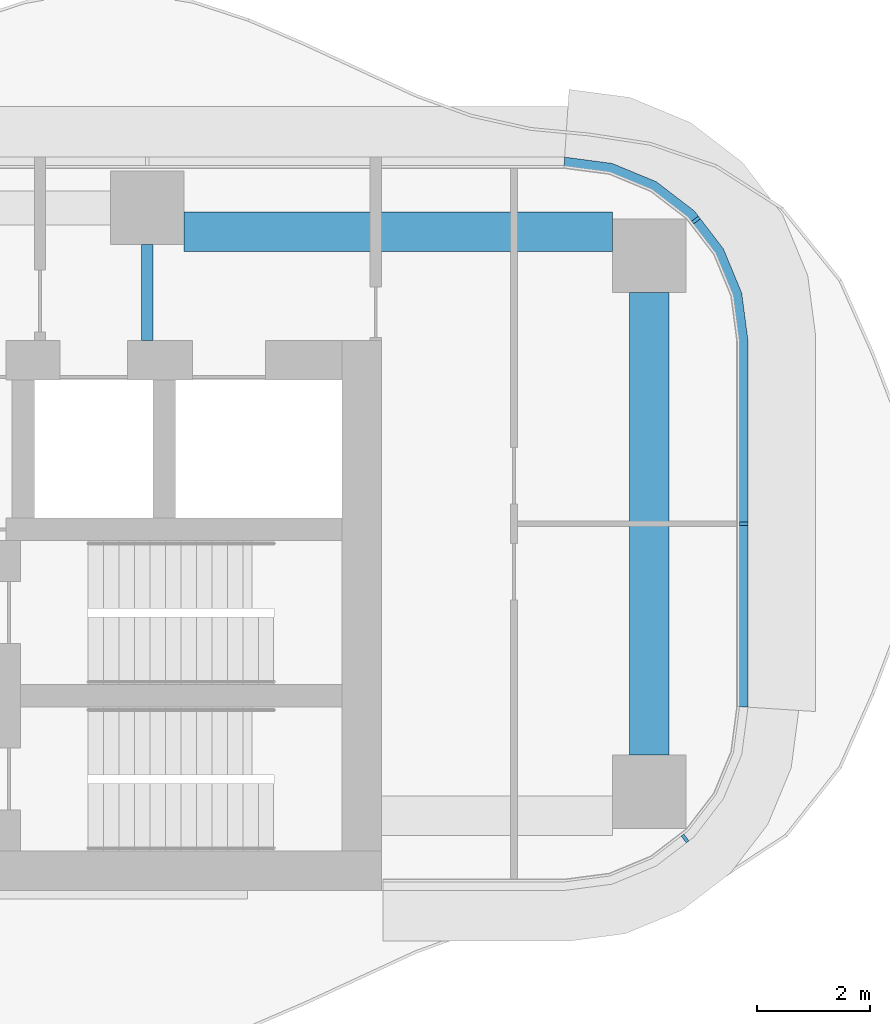
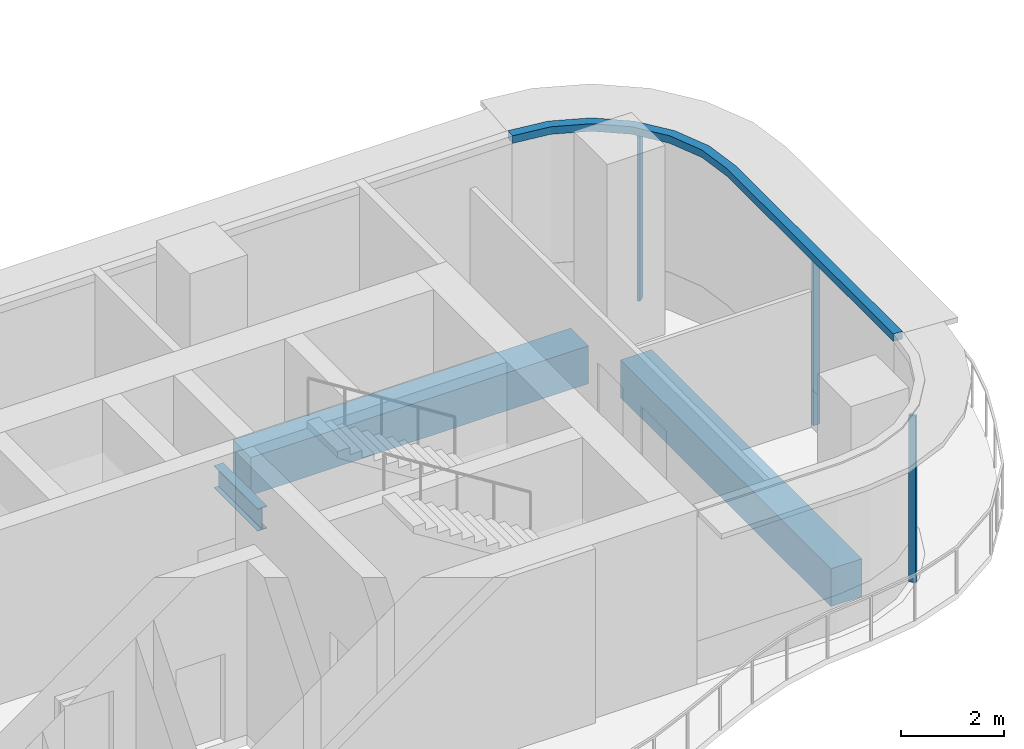
# One storey, part 7 of 20: 4 members, 3 beams, 2 elements without a shape of their own.
"""IFC4 building model written with IfcOpenShell, lengths in metres."""

from ifc_helpers import new_model, si_unit, direction, frame, origin, origin_2d, place, context, subcontext, project, spatial, polyline, rectangle, i_section, outline, extrude, source, transform, mapped, material, layer, layer_set, material_profile, profile_set, type_object, element, aggregate, save


model = new_model("IFC4")

# Units and contexts
model_context = context("Model", 3, precision=1e-05, world=origin(), true_north=direction((0.0, 1.0)))
body_context = subcontext(model_context, "Body", "Model", "MODEL_VIEW")
ifc_project = project(units=[si_unit("LENGTHUNIT", "METRE"), si_unit("AREAUNIT", "SQUARE_METRE"), si_unit("VOLUMEUNIT", "CUBIC_METRE"), si_unit("PLANEANGLEUNIT", "RADIAN"), si_unit("MASSUNIT", "GRAM", prefix="KILO")], contexts=[model_context])

# Site, building, storey
site_placement = place(None, origin())
site = spatial("IfcSite", under=ifc_project, at=site_placement, CompositionType="ELEMENT")
building_placement = place(site_placement, origin())
building = spatial("IfcBuilding", under=site, at=building_placement, Name="Trellis Farm Tower", CompositionType="ELEMENT")
storey_placement = place(building_placement, frame((0.0, 0.0, 151.5)))
storey = spatial("IfcBuildingStorey", under=building, at=storey_placement, Name="L32", CompositionType="ELEMENT", Elevation=151.5)

# Beams
ifc_material_1 = material(Name="Steel S355", Category="steel")
ifc_material_profile_1 = material_profile(ifc_material_1, i_section(OverallWidth=0.209228515625, OverallDepth=0.533203125, WebThickness=0.010009765625, FlangeThickness=0.015625, FilletRadius=0.0126953125, at=origin_2d()), Name="UB 533x210x92")
ifc_profile_set_1 = profile_set([ifc_material_profile_1], Name="Steel S355")
beam_type_1 = type_object("IfcBeamType", Name="UB 533x210x92", PredefinedType="BEAM", material=ifc_profile_set_1)
shared_shape_1 = source(origin(), body_context, "Body", "SweptSolid", [
    extrude(i_section(OverallWidth=0.209228515625, OverallDepth=0.533203125, WebThickness=0.010009765625, FlangeThickness=0.015625, FilletRadius=0.0126953125, at=origin_2d()), origin(), (0.0, 0.0, 1.0), 1.699951171875),
])
beam_1_placement = place(storey_placement, frame((18.60009765625, 3.25, -0.5166015625), z_axis=(0.0, 1.0, 0.0), x_axis=(-1.0, 0.0, 0.0)))
element("IfcBeam", 1, at=beam_1_placement, inside=storey, type_object=beam_type_1, Name="Girder", PredefinedType="BEAM", context=body_context, shape_type="MappedRepresentation", body=[
    mapped(shared_shape_1, transform((0.0, 0.0, 0.0))),
])
ifc_material_2 = material(Name="Concrete C60/75", Category="concrete")
ifc_material_profile_2 = material_profile(ifc_material_2, rectangle(XDim=0.699951171875, YDim=0.89990234375, at=origin_2d()), Name="RC spandrel beam 700x900 C60/75")
ifc_profile_set_2 = profile_set([ifc_material_profile_2], Name="Concrete C60/75")
beam_type_2 = type_object("IfcBeamType", Name="RC spandrel beam 700x900 C60/75", PredefinedType="SPANDREL", material=ifc_profile_set_2)
shared_shape_2 = source(origin(), body_context, "Body", "SweptSolid", [
    extrude(rectangle(XDim=0.699951171875, YDim=0.89990234375, at=origin_2d()), origin(), (0.0, 0.0, 1.0), 8.2001953125),
])
beam_2_placement = place(storey_placement, frame((27.5, -4.10009765625, -0.699951171875), z_axis=(0.0, 1.0, 0.0), x_axis=(-1.0, 0.0, 0.0)))
element("IfcBeam", 2, at=beam_2_placement, inside=storey, type_object=beam_type_2, Name="Girder", PredefinedType="SPANDREL", context=body_context, shape_type="MappedRepresentation", body=[
    mapped(shared_shape_2, transform((0.0, 0.0, 0.0))),
])
shared_shape_3 = source(origin(), body_context, "Body", "SweptSolid", [
    extrude(rectangle(XDim=0.699951171875, YDim=0.89990234375, at=origin_2d()), origin(), (0.0, 0.0, 1.0), 7.60009765625),
])
beam_3_placement = place(storey_placement, frame((19.25, 5.175048828125, -0.699951171875), z_axis=(1.0, 0.0, 0.0), x_axis=(0.0, 1.0, 0.0)))
element("IfcBeam", 3, at=beam_3_placement, inside=storey, type_object=beam_type_2, Name="Girder", PredefinedType="SPANDREL", context=body_context, shape_type="MappedRepresentation", body=[
    mapped(shared_shape_3, transform((0.0, 0.0, 0.0))),
])

# Curtain wall, member
ifc_material_3 = material(Name="Aluminium and glass curtain wall", Category="aluminium")
ifc_layer_1 = layer(ifc_material_3, 0.18994140625)
ifc_layer_set_1 = layer_set([ifc_layer_1], Name="RIBBON CURTAIN WALL CW1")
curtain_wall_type = type_object("IfcCurtainWallType", Name="RIBBON CURTAIN WALL CW1", PredefinedType="NOTDEFINED", material=ifc_layer_set_1)
placement = place(storey_placement, origin())
curtain_wall_1 = element("IfcCurtainWall", 4, at=placement, inside=storey, type_object=curtain_wall_type, Name="CW1 007", PredefinedType="NOTDEFINED")
ifc_material_4 = material(Name="Aluminium extrusion 6063-T6", Category="aluminium")
ifc_layer_2 = layer(ifc_material_4, 0.199951171875)
ifc_layer_set_2 = layer_set([ifc_layer_2], Name="Aluminium extrusion 6063-T6")
member_type_1 = type_object("IfcMemberType", Name="CW1 TRANSOM 200x180", PredefinedType="USERDEFINED", material=ifc_layer_set_2)
shared_shape_4 = source(origin(), body_context, "Body", "SweptSolid", [
    extrude(outline(polyline([(29.25, -3.25), (29.25, 3.25), (29.13916015625, 4.091064453125), (28.814697265625, 4.875), (28.298095703125, 5.548095703125), (27.625, 6.064697265625), (26.841064453125, 6.38916015625), (26.0, 6.5), (25.98681640625, 6.300048828125), (26.7890625, 6.1943359375), (27.524169921875, 5.889892578125), (28.155517578125, 5.405517578125), (28.639892578125, 4.774169921875), (28.9443359375, 4.0390625), (29.050048828125, 3.23681640625), (29.050048828125, -3.23681640625), (29.25, -3.25)])), origin(), (0.0, 0.0, 1.0), 0.179931640625),
])
member_1_placement = place(storey_placement, frame((0.0, 0.0, 3.969970703125)))
member_1 = element("IfcMember", 5, at=member_1_placement, type_object=member_type_1, Name="TR1 007", ObjectType="TRANSOM", PredefinedType="USERDEFINED", context=body_context, shape_type="MappedRepresentation", body=[
    mapped(shared_shape_4, transform((0.0, 0.0, 0.0))),
])

curtain_wall_2 = element("IfcCurtainWall", 6, at=placement, inside=storey, type_object=curtain_wall_type, Name="CW1 006", PredefinedType="NOTDEFINED")
ifc_material_profile_3 = material_profile(ifc_material_4, rectangle(XDim=0.06005859375, YDim=0.14990234375, at=origin_2d()), Name="MULLION 60x150")
ifc_profile_set_3 = profile_set([ifc_material_profile_3], Name="Aluminium extrusion 6063-T6")
member_type_2 = type_object("IfcMemberType", Name="CW1 MULLION 60x150", PredefinedType="MULLION", material=ifc_profile_set_3)
shared_shape_5 = source(origin(), body_context, "Body", "SweptSolid", [
    extrude(rectangle(XDim=0.06005859375, YDim=0.14990234375, at=origin_2d()), origin(), (0.0, 0.0, 1.0), 3.969970703125),
])
member_2_placement = place(storey_placement, frame((28.135498046875, -5.578369140625, 0.0), z_axis=(0.0, 0.0, 1.0), x_axis=(0.793353340291, 0.608761429009, 0.0)))
member_2 = element("IfcMember", 7, at=member_2_placement, type_object=member_type_2, Name="MU1 006-01", PredefinedType="MULLION", context=body_context, shape_type="MappedRepresentation", body=[
    mapped(shared_shape_5, transform((0.0, 0.0, 0.0))),
])
aggregate(curtain_wall_2, [member_2])

# Member
member_3_placement = place(storey_placement, frame((29.175048828125, 0.0, 0.0), z_axis=(0.0, 0.0, 1.0), x_axis=(0.0, 1.0, 0.0)))
member_3 = element("IfcMember", 8, at=member_3_placement, type_object=member_type_2, Name="MU1 007-01", PredefinedType="MULLION", context=body_context, shape_type="MappedRepresentation", body=[
    mapped(shared_shape_5, transform((0.0, 0.0, 0.0))),
])

member_4_placement = place(storey_placement, frame((28.328369140625, 5.385498046875, 0.0), z_axis=(0.0, 0.0, 1.0), x_axis=(-0.608761429009, 0.793353340291, 0.0)))
member_4 = element("IfcMember", 9, at=member_4_placement, type_object=member_type_2, Name="MU1 007-02", PredefinedType="MULLION", context=body_context, shape_type="MappedRepresentation", body=[
    mapped(shared_shape_5, transform((0.0, 0.0, 0.0))),
])

aggregate(curtain_wall_1, [member_3, member_4, member_1])

save(model, "model.ifc")
